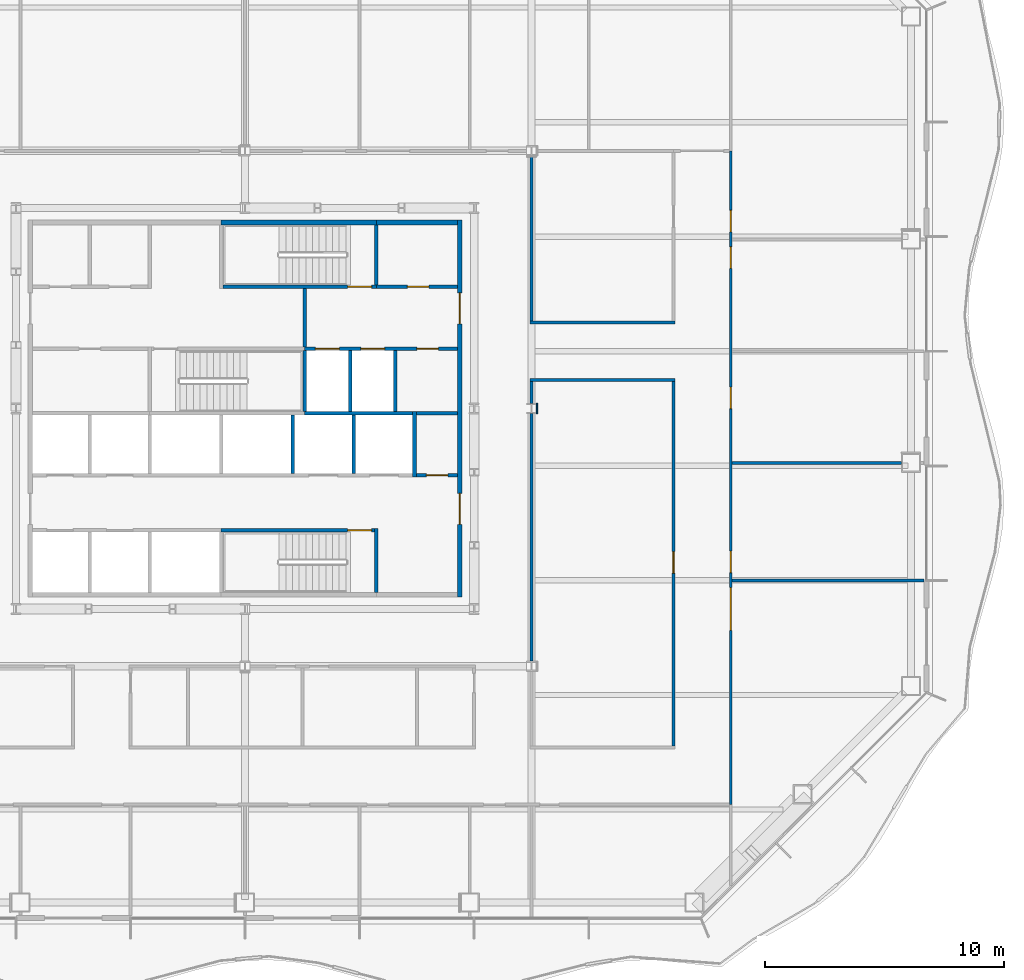
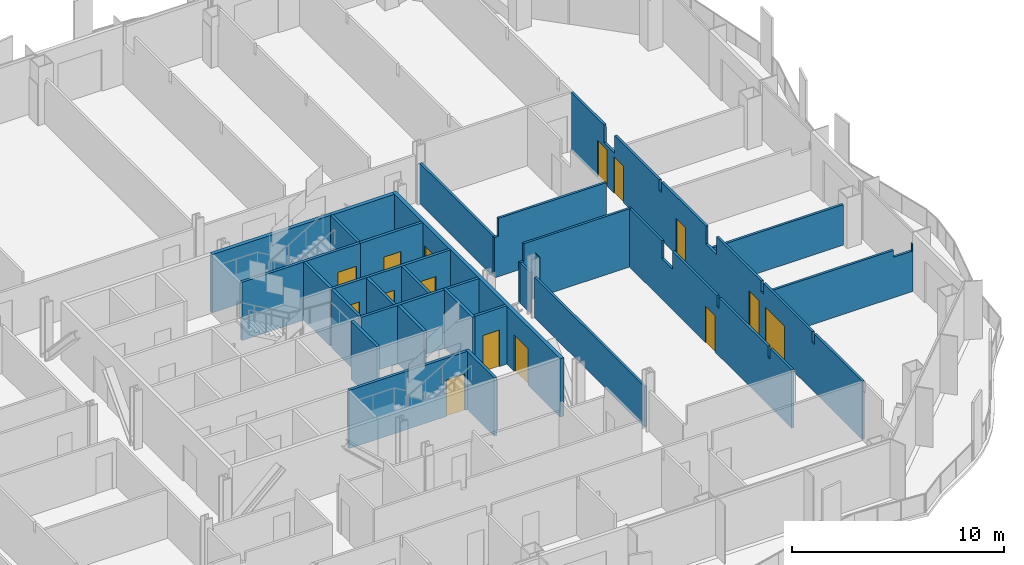
# One storey, part 11 of 23: 29 walls, 15 doors, 15 openings.
"""IFC4 building model written with IfcOpenShell, lengths in metres."""

from ifc_helpers import new_model, si_unit, direction, frame, frame_2d, origin, place, context, subcontext, project, spatial, polyline, rectangle, outline, extrude, material, layer, layer_set, type_object, element, fill, save


model = new_model("IFC4")

# Units and contexts
model_context = context("Model", 3, precision=1e-05, world=origin(), true_north=direction((0.0, 1.0)))
body_context = subcontext(model_context, "Body", "Model", "MODEL_VIEW")
ifc_project = project(units=[si_unit("LENGTHUNIT", "METRE"), si_unit("AREAUNIT", "SQUARE_METRE"), si_unit("VOLUMEUNIT", "CUBIC_METRE"), si_unit("PLANEANGLEUNIT", "RADIAN"), si_unit("MASSUNIT", "GRAM", prefix="KILO")], contexts=[model_context])

# Site, building, storey
site_placement = place(None, origin())
site = spatial("IfcSite", under=ifc_project, at=site_placement, CompositionType="ELEMENT")
building_placement = place(site_placement, origin())
building = spatial("IfcBuilding", under=site, at=building_placement, Name="Cairn Pilgrim Tower", CompositionType="ELEMENT")
storey_placement = place(building_placement, frame((0.0, 0.0, 115.800048828125)))
storey = spatial("IfcBuildingStorey", under=building, at=storey_placement, Name="L28", CompositionType="ELEMENT", Elevation=115.800048828125)

# Wall
ifc_material_1 = material(Name="Concrete C32/40", Category="concrete")
ifc_layer_1 = layer(ifc_material_1, 0.199951171875)
ifc_layer_set_1 = layer_set([ifc_layer_1], Name="CORE OUTER WALL 200 EI 120")
wall_type_1 = type_object("IfcWallType", Name="CORE OUTER WALL 200 EI 120", PredefinedType="SOLIDWALL", material=ifc_layer_set_1)
wall_1_placement = place(storey_placement, frame((12.699951171875, 10.199951171875, 0.0), z_axis=(0.0, 0.0, 1.0), x_axis=(1.0, 0.0, 0.0)))
element("IfcWall", 1, at=wall_1_placement, inside=storey, type_object=wall_type_1, Name="CW:L28:H11-3", PredefinedType="SOLIDWALL", context=body_context, shape_type="SweptSolid", body=[
    extrude(rectangle(XDim=3.400146484375, YDim=0.199951171875, at=frame_2d((1.7001953125, 0.0))), origin(), (0.0, 0.0, 1.0), 3.349853515625),
])

# Wall, openings, doors
wall_2_placement = place(storey_placement, frame((16.199951171875, -5.5, 0.0), z_axis=(0.0, 0.0, 1.0), x_axis=(0.0, 1.0, 0.0)))
wall_2 = element("IfcWall", 2, at=wall_2_placement, inside=storey, type_object=wall_type_1, Name="CW:L28:V32", PredefinedType="SOLIDWALL", context=body_context, shape_type="SweptSolid", body=[
    extrude(rectangle(XDim=15.800048828125, YDim=0.199951171875, at=frame_2d((7.89990234375, 0.0))), origin(), (0.0, 0.0, 1.0), 3.349853515625),
])
opening_1_placement = place(wall_2_placement, frame((3.050048828125, 0.0, 0.0)))
opening_1 = element("IfcOpeningElement", 3, at=opening_1_placement, cuts=wall_2, Name="Opening CD-E1", PredefinedType="OPENING", context=body_context, shape_type="SweptSolid", body=[
    extrude(rectangle(XDim=1.300048828125, YDim=2.10009765625, at=frame_2d((0.64990234375, 1.050048828125))), frame((0.0, 0.10986328125, 0.0), z_axis=(0.0, -1.0, 0.0), x_axis=(1.0, 0.0, 0.0)), (0.0, 0.0, 1.0), 0.219970703125),
])
opening_2_placement = place(wall_2_placement, frame((11.449951171875, 0.0, 0.0)))
opening_2 = element("IfcOpeningElement", 4, at=opening_2_placement, cuts=wall_2, Name="Opening CD-E2", PredefinedType="OPENING", context=body_context, shape_type="SweptSolid", body=[
    extrude(rectangle(XDim=1.300048828125, YDim=2.10009765625, at=frame_2d((0.64990234375, 1.050048828125))), frame((0.0, 0.10986328125, 0.0), z_axis=(0.0, -1.0, 0.0), x_axis=(1.0, 0.0, 0.0)), (0.0, 0.0, 1.0), 0.219970703125),
])
ifc_material_2 = material(Name="Painted steel", Category="steel")
door_type_1 = type_object("IfcDoorType", Name="CORE LOBBY DOOR 1300x2100", OperationType="DOUBLE_DOOR_SINGLE_SWING", PredefinedType="DOOR", material=ifc_material_2)
door_1_placement = place(opening_1_placement, origin())
door_1 = element("IfcDoor", 5, at=door_1_placement, inside=storey, type_object=door_type_1, Name="CD-E1", OperationType="DOUBLE_DOOR_SINGLE_SWING", OverallHeight=2.10009765625, OverallWidth=1.300048828125, PredefinedType="DOOR", context=body_context, shape_type="SweptSolid", body=[
    extrude(rectangle(XDim=1.300048828125, YDim=2.10009765625, at=frame_2d((0.64990234375, 1.050048828125))), frame((0.0, 0.02490234375, 0.0), z_axis=(0.0, -1.0, 0.0), x_axis=(1.0, 0.0, 0.0)), (0.0, 0.0, 1.0), 0.050048828125),
])
fill(opening_1, door_1)
door_2_placement = place(opening_2_placement, origin())
door_2 = element("IfcDoor", 6, at=door_2_placement, inside=storey, type_object=door_type_1, Name="CD-E2", OperationType="DOUBLE_DOOR_SINGLE_SWING", OverallHeight=2.10009765625, OverallWidth=1.300048828125, PredefinedType="DOOR", context=body_context, shape_type="SweptSolid", body=[
    extrude(rectangle(XDim=1.300048828125, YDim=2.10009765625, at=frame_2d((0.64990234375, 1.050048828125))), frame((0.0, 0.02490234375, 0.0), z_axis=(0.0, -1.0, 0.0), x_axis=(1.0, 0.0, 0.0)), (0.0, 0.0, 1.0), 0.050048828125),
])
fill(opening_2, door_2)

# Wall, opening, door
ifc_layer_2 = layer(ifc_material_1, 0.14990234375)
ifc_layer_set_2 = layer_set([ifc_layer_2], Name="CORE PARTITION 150 EI 60")
wall_type_2 = type_object("IfcWallType", Name="CORE PARTITION 150 EI 60", PredefinedType="PARTITIONING", material=ifc_layer_set_2)
wall_3_placement = place(storey_placement, frame((14.375, -0.39990234375, 0.0), z_axis=(0.0, 0.0, 1.0), x_axis=(1.0, 0.0, 0.0)))
wall_3 = element("IfcWall", 7, at=wall_3_placement, inside=storey, type_object=wall_type_2, Name="CW:L28:H04", PredefinedType="PARTITIONING", context=body_context, shape_type="SweptSolid", body=[
    extrude(rectangle(XDim=1.72509765625, YDim=0.14990234375, at=frame_2d((0.862548828125, 0.0))), origin(), (0.0, 0.0, 1.0), 3.349853515625),
])
opening_3_placement = place(wall_3_placement, frame((0.425048828125, 0.0, 0.0)))
opening_3 = element("IfcOpeningElement", 8, at=opening_3_placement, cuts=wall_3, Name="Opening RD-R2E", PredefinedType="OPENING", context=body_context, shape_type="SweptSolid", body=[
    extrude(rectangle(XDim=0.89990234375, YDim=2.10009765625, at=frame_2d((0.449951171875, 1.050048828125))), frame((0.0, 0.0849609375, 0.0), z_axis=(0.0, -1.0, 0.0), x_axis=(1.0, 0.0, 0.0)), (0.0, 0.0, 1.0), 0.169921875),
])
door_type_2 = type_object("IfcDoorType", Name="SERVICE ROOM DOOR 900x2100", OperationType="SINGLE_SWING_LEFT", PredefinedType="DOOR", material=ifc_material_2)
door_3_placement = place(opening_3_placement, origin())
door_3 = element("IfcDoor", 9, at=door_3_placement, inside=storey, type_object=door_type_2, Name="RD-R2E", OperationType="SINGLE_SWING_RIGHT", OverallHeight=2.10009765625, OverallWidth=0.89990234375, PredefinedType="DOOR", context=body_context, shape_type="SweptSolid", body=[
    extrude(rectangle(XDim=0.89990234375, YDim=2.10009765625, at=frame_2d((0.449951171875, 1.050048828125))), frame((0.0, 0.02490234375, 0.0), z_axis=(0.0, -1.0, 0.0), x_axis=(1.0, 0.0, 0.0)), (0.0, 0.0, 1.0), 0.050048828125),
])
fill(opening_3, door_3)

# Walls
wall_4_placement = place(storey_placement, frame((14.375, 2.199951171875, 0.0), z_axis=(0.0, 0.0, 1.0), x_axis=(1.0, 0.0, 0.0)))
element("IfcWall", 10, at=wall_4_placement, inside=storey, type_object=wall_type_2, Name="CW:L28:H06", PredefinedType="PARTITIONING", context=body_context, shape_type="SweptSolid", body=[
    extrude(rectangle(XDim=1.72509765625, YDim=0.14990234375, at=frame_2d((0.862548828125, 0.0))), origin(), (0.0, 0.0, 1.0), 3.349853515625),
])
ifc_layer_3 = layer(ifc_material_1, 0.14990234375)
ifc_layer_set_3 = layer_set([ifc_layer_3], Name="CORE SHAFT WALL 150 EI 120")
wall_type_3 = type_object("IfcWallType", Name="CORE SHAFT WALL 150 EI 120", PredefinedType="SOLIDWALL", material=ifc_layer_set_3)
wall_5_placement = place(storey_placement, frame((9.699951171875, 2.199951171875, 0.0), z_axis=(0.0, 0.0, 1.0), x_axis=(1.0, 0.0, 0.0)))
element("IfcWall", 11, at=wall_5_placement, inside=storey, type_object=wall_type_3, Name="CW:L28:H05-3", PredefinedType="SOLIDWALL", context=body_context, shape_type="SweptSolid", body=[
    extrude(rectangle(XDim=4.525146484375, YDim=0.14990234375, at=frame_2d((2.2626953125, 0.0))), origin(), (0.0, 0.0, 1.0), 3.349853515625),
])

# Wall, openings, doors
wall_6_placement = place(storey_placement, frame((9.699951171875, 4.89990234375, 0.0), z_axis=(0.0, 0.0, 1.0), x_axis=(1.0, 0.0, 0.0)))
wall_6 = element("IfcWall", 12, at=wall_6_placement, inside=storey, type_object=wall_type_3, Name="CW:L28:H08-2", PredefinedType="SOLIDWALL", context=body_context, shape_type="SweptSolid", body=[
    extrude(rectangle(XDim=6.400146484375, YDim=0.14990234375, at=frame_2d((3.2001953125, 0.0))), origin(), (0.0, 0.0, 1.0), 3.349853515625),
])
opening_4_placement = place(wall_6_placement, frame((0.449951171875, 0.0, 0.0)))
opening_4 = element("IfcOpeningElement", 13, at=opening_4_placement, cuts=wall_6, Name="Opening LD-FF1", PredefinedType="OPENING", context=body_context, shape_type="SweptSolid", body=[
    extrude(rectangle(XDim=1.0, YDim=2.10009765625, at=frame_2d((0.5, 1.050048828125))), frame((0.0, 0.0849609375, 0.0), z_axis=(0.0, -1.0, 0.0), x_axis=(1.0, 0.0, 0.0)), (0.0, 0.0, 1.0), 0.169921875),
])
opening_5_placement = place(wall_6_placement, frame((2.35009765625, 0.0, 0.0)))
opening_5 = element("IfcOpeningElement", 14, at=opening_5_placement, cuts=wall_6, Name="Opening LD-FF2", PredefinedType="OPENING", context=body_context, shape_type="SweptSolid", body=[
    extrude(rectangle(XDim=1.0, YDim=2.10009765625, at=frame_2d((0.5, 1.050048828125))), frame((0.0, 0.0849609375, 0.0), z_axis=(0.0, -1.0, 0.0), x_axis=(1.0, 0.0, 0.0)), (0.0, 0.0, 1.0), 0.169921875),
])
opening_6_placement = place(wall_6_placement, frame((4.699951171875, 0.0, 0.0)))
opening_6 = element("IfcOpeningElement", 15, at=opening_6_placement, cuts=wall_6, Name="Opening RD-R3E", PredefinedType="OPENING", context=body_context, shape_type="SweptSolid", body=[
    extrude(rectangle(XDim=0.89990234375, YDim=2.10009765625, at=frame_2d((0.449951171875, 1.050048828125))), frame((0.0, 0.0849609375, 0.0), z_axis=(0.0, -1.0, 0.0), x_axis=(1.0, 0.0, 0.0)), (0.0, 0.0, 1.0), 0.169921875),
])
ifc_material_3 = material(Name="Stainless steel", Category="steel")
door_type_3 = type_object("IfcDoorType", Name="LIFT LANDING DOOR FIRE 1000x2100", OperationType="DOUBLE_DOOR_SLIDING", PredefinedType="DOOR", material=ifc_material_3)
door_4_placement = place(opening_4_placement, origin())
door_4 = element("IfcDoor", 16, at=door_4_placement, inside=storey, type_object=door_type_3, Name="LANDING DOOR FF1", OperationType="DOUBLE_DOOR_SLIDING", OverallHeight=2.10009765625, OverallWidth=1.0, PredefinedType="DOOR", context=body_context, shape_type="SweptSolid", body=[
    extrude(rectangle(XDim=1.0, YDim=2.10009765625, at=frame_2d((0.5, 1.050048828125))), frame((0.0, 0.02490234375, 0.0), z_axis=(0.0, -1.0, 0.0), x_axis=(1.0, 0.0, 0.0)), (0.0, 0.0, 1.0), 0.050048828125),
])
fill(opening_4, door_4)
door_5_placement = place(opening_5_placement, origin())
door_5 = element("IfcDoor", 17, at=door_5_placement, inside=storey, type_object=door_type_3, Name="LANDING DOOR FF2", OperationType="DOUBLE_DOOR_SLIDING", OverallHeight=2.10009765625, OverallWidth=1.0, PredefinedType="DOOR", context=body_context, shape_type="SweptSolid", body=[
    extrude(rectangle(XDim=1.0, YDim=2.10009765625, at=frame_2d((0.5, 1.050048828125))), frame((0.0, 0.02490234375, 0.0), z_axis=(0.0, -1.0, 0.0), x_axis=(1.0, 0.0, 0.0)), (0.0, 0.0, 1.0), 0.050048828125),
])
fill(opening_5, door_5)
door_6_placement = place(opening_6_placement, origin())
door_6 = element("IfcDoor", 18, at=door_6_placement, inside=storey, type_object=door_type_2, Name="RD-R3E", OperationType="SINGLE_SWING_LEFT", OverallHeight=2.10009765625, OverallWidth=0.89990234375, PredefinedType="DOOR", context=body_context, shape_type="SweptSolid", body=[
    extrude(rectangle(XDim=0.89990234375, YDim=2.10009765625, at=frame_2d((0.449951171875, 1.050048828125))), frame((0.0, 0.02490234375, 0.0), z_axis=(0.0, -1.0, 0.0), x_axis=(1.0, 0.0, 0.0)), (0.0, 0.0, 1.0), 0.050048828125),
])
fill(opening_6, door_6)

# Wall, opening, door
wall_7_placement = place(storey_placement, frame((12.699951171875, 7.5, 0.0), z_axis=(0.0, 0.0, 1.0), x_axis=(1.0, 0.0, 0.0)))
wall_7 = element("IfcWall", 19, at=wall_7_placement, inside=storey, type_object=wall_type_3, Name="CW:L28:H10-2", PredefinedType="SOLIDWALL", context=body_context, shape_type="SweptSolid", body=[
    extrude(rectangle(XDim=3.400146484375, YDim=0.14990234375, at=frame_2d((1.7001953125, 0.0))), origin(), (0.0, 0.0, 1.0), 3.349853515625),
])
opening_7_placement = place(wall_7_placement, frame((1.300048828125, 0.0, 0.0)))
opening_7 = element("IfcOpeningElement", 20, at=opening_7_placement, cuts=wall_7, Name="Opening RD-R4E", PredefinedType="OPENING", context=body_context, shape_type="SweptSolid", body=[
    extrude(rectangle(XDim=0.89990234375, YDim=2.10009765625, at=frame_2d((0.449951171875, 1.050048828125))), frame((0.0, 0.0849609375, 0.0), z_axis=(0.0, -1.0, 0.0), x_axis=(1.0, 0.0, 0.0)), (0.0, 0.0, 1.0), 0.169921875),
])
door_7_placement = place(opening_7_placement, origin())
door_7 = element("IfcDoor", 21, at=door_7_placement, inside=storey, type_object=door_type_2, Name="RD-R4E", OperationType="SINGLE_SWING_RIGHT", OverallHeight=2.10009765625, OverallWidth=0.89990234375, PredefinedType="DOOR", context=body_context, shape_type="SweptSolid", body=[
    extrude(rectangle(XDim=0.89990234375, YDim=2.10009765625, at=frame_2d((0.449951171875, 1.050048828125))), frame((0.0, 0.02490234375, 0.0), z_axis=(0.0, -1.0, 0.0), x_axis=(1.0, 0.0, 0.0)), (0.0, 0.0, 1.0), 0.050048828125),
])
fill(opening_7, door_7)

# Walls
for number, where, z_axis, x_axis, name in (
    (22, (9.199951171875, -0.324951171875, 0.0), (0.0, 0.0, 1.0), (0.0, 1.0, 0.0), "CW:L28:V23"),
    (23, (9.699951171875, 4.97509765625, 0.0), (0.0, 0.0, 1.0), (0.0, 1.0, 0.0), "CW:L28:V25"),
):
    element("IfcWall", number, at=place(storey_placement, frame(where, z_axis=z_axis, x_axis=x_axis)), inside=storey, type_object=wall_type_3, Name=name, PredefinedType="SOLIDWALL", context=body_context, shape_type="SweptSolid", body=[
        extrude(rectangle(XDim=2.449951171875, YDim=0.14990234375, at=frame_2d((1.22509765625, 0.0))), origin(), (0.0, 0.0, 1.0), 3.349853515625),
    ])
wall_8_placement = place(storey_placement, frame((11.60009765625, 2.27490234375, 0.0), z_axis=(0.0, 0.0, 1.0), x_axis=(0.0, 1.0, 0.0)))
element("IfcWall", 24, at=wall_8_placement, inside=storey, type_object=wall_type_3, Name="CW:L28:V26", PredefinedType="SOLIDWALL", context=body_context, shape_type="SweptSolid", body=[
    extrude(rectangle(XDim=2.550048828125, YDim=0.14990234375, at=frame_2d((1.27490234375, 0.0))), origin(), (0.0, 0.0, 1.0), 3.349853515625),
])
wall_9_placement = place(storey_placement, frame((11.75, -0.324951171875, 0.0), z_axis=(0.0, 0.0, 1.0), x_axis=(0.0, 1.0, 0.0)))
element("IfcWall", 25, at=wall_9_placement, inside=storey, type_object=wall_type_3, Name="CW:L28:V27", PredefinedType="SOLIDWALL", context=body_context, shape_type="SweptSolid", body=[
    extrude(rectangle(XDim=2.449951171875, YDim=0.14990234375, at=frame_2d((1.22509765625, 0.0))), origin(), (0.0, 0.0, 1.0), 3.349853515625),
])
wall_10_placement = place(storey_placement, frame((13.5, 2.27490234375, 0.0), z_axis=(0.0, 0.0, 1.0), x_axis=(0.0, 1.0, 0.0)))
element("IfcWall", 26, at=wall_10_placement, inside=storey, type_object=wall_type_3, Name="CW:L28:V30", PredefinedType="SOLIDWALL", context=body_context, shape_type="SweptSolid", body=[
    extrude(rectangle(XDim=2.550048828125, YDim=0.14990234375, at=frame_2d((1.27490234375, 0.0))), origin(), (0.0, 0.0, 1.0), 3.349853515625),
])
wall_11_placement = place(storey_placement, frame((14.300048828125, -0.47509765625, 0.0), z_axis=(0.0, 0.0, 1.0), x_axis=(0.0, 1.0, 0.0)))
element("IfcWall", 27, at=wall_11_placement, inside=storey, type_object=wall_type_3, Name="CW:L28:V31", PredefinedType="SOLIDWALL", context=body_context, shape_type="SweptSolid", body=[
    extrude(rectangle(XDim=2.75, YDim=0.14990234375, at=frame_2d((1.375, 0.0))), origin(), (0.0, 0.0, 1.0), 3.349853515625),
])

# Wall, openings, doors
ifc_material_4 = material(Name="Gypsum partition")
ifc_layer_4 = layer(ifc_material_4, 0.125)
ifc_layer_set_4 = layer_set([ifc_layer_4], Name="PARTITION 125 DRYWALL EI 60")
wall_type_4 = type_object("IfcWallType", Name="PARTITION 125 DRYWALL EI 60", PredefinedType="PARTITIONING", material=ifc_layer_set_4)
wall_12_placement = place(storey_placement, frame((27.550048828125, -14.199951171875, 0.0), z_axis=(0.0, 0.0, 1.0), x_axis=(0.0, 1.0, 0.0)))
wall_12 = element("IfcWall", 28, at=wall_12_placement, inside=storey, type_object=wall_type_4, Name="PARTITION W016", PredefinedType="PARTITIONING", context=body_context, shape_type="SweptSolid", body=[
    extrude(outline(polyline([(0.0, 0.0), (27.39990234375, 0.0), (27.39990234375, 3.349853515625), (24.300048828125, 3.349853515625), (24.298095703125, 2.329833984375), (23.300048828125, 2.329833984375), (23.298095703125, 3.349853515625), (19.110107421875, 3.349853515625), (19.10791015625, 2.72998046875), (18.889892578125, 2.72998046875), (18.887939453125, 3.349853515625), (14.699951171875, 3.349853515625), (14.697998046875, 2.329833984375), (13.699951171875, 2.329833984375), (13.697998046875, 3.349853515625), (9.510009765625, 3.349853515625), (9.508056640625, 2.72998046875), (9.2900390625, 2.72998046875), (9.2880859375, 3.349853515625), (4.7099609375, 3.349853515625), (4.7080078125, 2.72998046875), (4.489990234375, 2.72998046875), (4.488037109375, 3.349853515625), (0.0, 3.349853515625), (0.0, 0.0)])), frame((0.0, 0.0625, 0.0), z_axis=(0.0, -1.0, 0.0), x_axis=(1.0, 0.0, 0.0)), (0.0, 0.0, 1.0), 0.125),
])
opening_8_placement = place(wall_12_placement, frame((7.300048828125, 0.0, 0.0)))
opening_8 = element("IfcOpeningElement", 29, at=opening_8_placement, cuts=wall_12, Name="Opening 2824", PredefinedType="OPENING", context=body_context, shape_type="SweptSolid", body=[
    extrude(rectangle(XDim=1.800048828125, YDim=2.10009765625, at=frame_2d((0.89990234375, 1.050048828125))), frame((0.0, 0.072509765625, 0.0), z_axis=(0.0, -1.0, 0.0), x_axis=(1.0, 0.0, 0.0)), (0.0, 0.0, 1.0), 0.14501953125),
])
opening_9_placement = place(wall_12_placement, frame((9.72412109375, 0.0, 0.0)))
opening_9 = element("IfcOpeningElement", 30, at=opening_9_placement, cuts=wall_12, Name="Opening 2825", PredefinedType="OPENING", context=body_context, shape_type="SweptSolid", body=[
    extrude(rectangle(XDim=0.89990234375, YDim=2.10009765625, at=frame_2d((0.449951171875, 1.050048828125))), frame((0.0, 0.072509765625, 0.0), z_axis=(0.0, -1.0, 0.0), x_axis=(1.0, 0.0, 0.0)), (0.0, 0.0, 1.0), 0.14501953125),
])
opening_10_placement = place(wall_12_placement, frame((16.60009765625, 0.0, 0.0)))
opening_10 = element("IfcOpeningElement", 31, at=opening_10_placement, cuts=wall_12, Name="Opening 2826", PredefinedType="OPENING", context=body_context, shape_type="SweptSolid", body=[
    extrude(rectangle(XDim=0.89990234375, YDim=2.10009765625, at=frame_2d((0.449951171875, 1.050048828125))), frame((0.0, 0.072509765625, 0.0), z_axis=(0.0, -1.0, 0.0), x_axis=(1.0, 0.0, 0.0)), (0.0, 0.0, 1.0), 0.14501953125),
])
opening_11_placement = place(wall_12_placement, frame((22.47607421875, 0.0, 0.0)))
opening_11 = element("IfcOpeningElement", 32, at=opening_11_placement, cuts=wall_12, Name="Opening 2827", PredefinedType="OPENING", context=body_context, shape_type="SweptSolid", body=[
    extrude(rectangle(XDim=0.89990234375, YDim=2.10009765625, at=frame_2d((0.449951171875, 1.050048828125))), frame((0.0, 0.072509765625, 0.0), z_axis=(0.0, -1.0, 0.0), x_axis=(1.0, 0.0, 0.0)), (0.0, 0.0, 1.0), 0.14501953125),
])
opening_12_placement = place(wall_12_placement, frame((24.0, 0.0, 0.0)))
opening_12 = element("IfcOpeningElement", 33, at=opening_12_placement, cuts=wall_12, Name="Opening 2828", PredefinedType="OPENING", context=body_context, shape_type="SweptSolid", body=[
    extrude(rectangle(XDim=0.89990234375, YDim=2.10009765625, at=frame_2d((0.449951171875, 1.050048828125))), frame((0.0, 0.072509765625, 0.0), z_axis=(0.0, -1.0, 0.0), x_axis=(1.0, 0.0, 0.0)), (0.0, 0.0, 1.0), 0.14501953125),
])
ifc_material_5 = material(Name="Timber door leaf", Category="wood")
door_type_4 = type_object("IfcDoorType", Name="DOOR PAIR 1800x2100 FD30S", OperationType="NOTDEFINED", PredefinedType="DOOR", material=ifc_material_5)
door_8_placement = place(opening_8_placement, frame((1.800048828125, 0.0, 0.0), z_axis=(0.0, 0.0, 1.0), x_axis=(-1.0, 0.0, 0.0)))
door_8 = element("IfcDoor", 34, at=door_8_placement, inside=storey, type_object=door_type_4, Name="DOOR 2824", OperationType="DOUBLE_DOOR_SINGLE_SWING", OverallHeight=2.10009765625, OverallWidth=1.800048828125, PredefinedType="DOOR", context=body_context, shape_type="SweptSolid", body=[
    extrude(rectangle(XDim=1.800048828125, YDim=2.10009765625, at=frame_2d((0.89990234375, 1.050048828125))), frame((0.0, 0.02490234375, 0.0), z_axis=(0.0, -1.0, 0.0), x_axis=(1.0, 0.0, 0.0)), (0.0, 0.0, 1.0), 0.050048828125),
])
fill(opening_8, door_8)
ifc_material_6 = material(Name="Steel-faced fire door leaf", Category="steel")
door_type_5 = type_object("IfcDoorType", Name="FIRE DOOR 900x2100 FD30S", OperationType="NOTDEFINED", PredefinedType="DOOR", material=ifc_material_6)
door_9_placement = place(opening_9_placement, frame((0.89990234375, 0.0, 0.0), z_axis=(0.0, 0.0, 1.0), x_axis=(-1.0, 0.0, 0.0)))
door_9 = element("IfcDoor", 35, at=door_9_placement, inside=storey, type_object=door_type_5, Name="DOOR 2825", OperationType="SINGLE_SWING_RIGHT", OverallHeight=2.10009765625, OverallWidth=0.89990234375, PredefinedType="DOOR", context=body_context, shape_type="SweptSolid", body=[
    extrude(rectangle(XDim=0.89990234375, YDim=2.10009765625, at=frame_2d((0.449951171875, 1.050048828125))), frame((0.0, 0.02490234375, 0.0), z_axis=(0.0, -1.0, 0.0), x_axis=(1.0, 0.0, 0.0)), (0.0, 0.0, 1.0), 0.050048828125),
])
fill(opening_9, door_9)
door_10_placement = place(opening_10_placement, frame((0.89990234375, 0.0, 0.0), z_axis=(0.0, 0.0, 1.0), x_axis=(-1.0, 0.0, 0.0)))
door_10 = element("IfcDoor", 36, at=door_10_placement, inside=storey, type_object=door_type_5, Name="DOOR 2826", OperationType="SINGLE_SWING_LEFT", OverallHeight=2.10009765625, OverallWidth=0.89990234375, PredefinedType="DOOR", context=body_context, shape_type="SweptSolid", body=[
    extrude(rectangle(XDim=0.89990234375, YDim=2.10009765625, at=frame_2d((0.449951171875, 1.050048828125))), frame((0.0, 0.02490234375, 0.0), z_axis=(0.0, -1.0, 0.0), x_axis=(1.0, 0.0, 0.0)), (0.0, 0.0, 1.0), 0.050048828125),
])
fill(opening_10, door_10)
door_11_placement = place(opening_11_placement, frame((0.89990234375, 0.0, 0.0), z_axis=(0.0, 0.0, 1.0), x_axis=(-1.0, 0.0, 0.0)))
door_11 = element("IfcDoor", 37, at=door_11_placement, inside=storey, type_object=door_type_5, Name="DOOR 2827", OperationType="SINGLE_SWING_RIGHT", OverallHeight=2.10009765625, OverallWidth=0.89990234375, PredefinedType="DOOR", context=body_context, shape_type="SweptSolid", body=[
    extrude(rectangle(XDim=0.89990234375, YDim=2.10009765625, at=frame_2d((0.449951171875, 1.050048828125))), frame((0.0, 0.02490234375, 0.0), z_axis=(0.0, -1.0, 0.0), x_axis=(1.0, 0.0, 0.0)), (0.0, 0.0, 1.0), 0.050048828125),
])
fill(opening_11, door_11)
door_12_placement = place(opening_12_placement, frame((0.89990234375, 0.0, 0.0), z_axis=(0.0, 0.0, 1.0), x_axis=(-1.0, 0.0, 0.0)))
door_12 = element("IfcDoor", 38, at=door_12_placement, inside=storey, type_object=door_type_5, Name="DOOR 2828", OperationType="SINGLE_SWING_LEFT", OverallHeight=2.10009765625, OverallWidth=0.89990234375, PredefinedType="DOOR", context=body_context, shape_type="SweptSolid", body=[
    extrude(rectangle(XDim=0.89990234375, YDim=2.10009765625, at=frame_2d((0.449951171875, 1.050048828125))), frame((0.0, 0.02490234375, 0.0), z_axis=(0.0, -1.0, 0.0), x_axis=(1.0, 0.0, 0.0)), (0.0, 0.0, 1.0), 0.050048828125),
])
fill(opening_12, door_12)

# Wall, opening, door
wall_13_placement = place(storey_placement, frame((25.14990234375, -11.737548828125, 0.0), z_axis=(0.0, 0.0, 1.0), x_axis=(0.0, 1.0, 0.0)))
wall_13 = element("IfcWall", 39, at=wall_13_placement, inside=storey, type_object=wall_type_4, Name="PARTITION W030", PredefinedType="PARTITIONING", context=body_context, shape_type="SweptSolid", body=[
    extrude(outline(polyline([(0.0, 0.0), (15.275146484375, 0.0), (15.27490234375, 3.349853515625), (12.237548828125, 3.349853515625), (12.235595703125, 2.329833984375), (11.237548828125, 2.329833984375), (11.235595703125, 3.349853515625), (7.047607421875, 3.349853515625), (7.04541015625, 2.72998046875), (6.827392578125, 2.72998046875), (6.825439453125, 3.349853515625), (2.24755859375, 3.349853515625), (2.24560546875, 2.72998046875), (2.027587890625, 2.72998046875), (2.025390625, 3.349853515625), (0.0, 3.349853515625), (0.0, 0.0)])), frame((0.0, 0.0625, 0.0), z_axis=(0.0, -1.0, 0.0), x_axis=(1.0, 0.0, 0.0)), (0.0, 0.0, 1.0), 0.125),
])
opening_13_placement = place(wall_13_placement, frame((7.237548828125, 0.0, 0.0)))
opening_13 = element("IfcOpeningElement", 40, at=opening_13_placement, cuts=wall_13, Name="Opening 2830", PredefinedType="OPENING", context=body_context, shape_type="SweptSolid", body=[
    extrude(rectangle(XDim=0.89990234375, YDim=2.10009765625, at=frame_2d((0.449951171875, 1.050048828125))), frame((0.0, 0.072509765625, 0.0), z_axis=(0.0, -1.0, 0.0), x_axis=(1.0, 0.0, 0.0)), (0.0, 0.0, 1.0), 0.14501953125),
])
door_13_placement = place(opening_13_placement, origin())
door_13 = element("IfcDoor", 41, at=door_13_placement, inside=storey, type_object=door_type_5, Name="DOOR 2830", OperationType="SINGLE_SWING_LEFT", OverallHeight=2.10009765625, OverallWidth=0.89990234375, PredefinedType="DOOR", context=body_context, shape_type="SweptSolid", body=[
    extrude(rectangle(XDim=0.89990234375, YDim=2.10009765625, at=frame_2d((0.449951171875, 1.050048828125))), frame((0.0, 0.02490234375, 0.0), z_axis=(0.0, -1.0, 0.0), x_axis=(1.0, 0.0, 0.0)), (0.0, 0.0, 1.0), 0.050048828125),
])
fill(opening_13, door_13)

# Walls
wall_14_placement = place(storey_placement, frame((19.199951171875, -8.1875, 0.0), z_axis=(0.0, 0.0, 1.0), x_axis=(0.0, 1.0, 0.0)))
element("IfcWall", 42, at=wall_14_placement, inside=storey, type_object=wall_type_4, Name="PARTITION W038", PredefinedType="PARTITIONING", context=body_context, shape_type="SweptSolid", body=[
    extrude(rectangle(XDim=10.375, YDim=0.125, at=frame_2d((5.1875, 0.0))), origin(), (0.0, 0.0, 1.0), 2.322021484375),
])
wall_15_placement = place(storey_placement, frame((27.612548828125, -4.800048828125, 0.0), z_axis=(0.0, 0.0, 1.0), x_axis=(1.0, 0.0, 0.0)))
element("IfcWall", 43, at=wall_15_placement, inside=storey, type_object=wall_type_4, Name="PARTITION W041", PredefinedType="PARTITIONING", context=body_context, shape_type="SweptSolid", body=[
    extrude(outline(polyline([(0.0, 0.0), (8.037353515625, 0.0), (8.03759765625, 2.72998046875), (7.987548828125, 2.72998046875), (7.985595703125, 2.329833984375), (6.987548828125, 2.329833984375), (6.985595703125, 2.72998046875), (0.0, 2.72998046875), (0.0, 0.0)])), frame((0.0, 0.0625, 0.0), z_axis=(0.0, -1.0, 0.0), x_axis=(1.0, 0.0, 0.0)), (0.0, 0.0, 1.0), 0.125),
])
wall_16_placement = place(storey_placement, frame((27.612548828125, 0.1240234375, 0.0), z_axis=(0.0, 0.0, 1.0), x_axis=(1.0, 0.0, 0.0)))
element("IfcWall", 44, at=wall_16_placement, inside=storey, type_object=wall_type_4, Name="PARTITION W045", PredefinedType="PARTITIONING", context=body_context, shape_type="SweptSolid", body=[
    extrude(rectangle(XDim=7.08740234375, YDim=0.125, at=frame_2d((3.543701171875, 0.0))), origin(), (0.0, 0.0, 1.0), 2.329833984375),
])
wall_17_placement = place(storey_placement, frame((19.199951171875, 2.612548828125, 0.0), z_axis=(0.0, 0.0, 1.0), x_axis=(0.0, 1.0, 0.0)))
element("IfcWall", 45, at=wall_17_placement, inside=storey, type_object=wall_type_4, Name="PARTITION W051", PredefinedType="PARTITIONING", context=body_context, shape_type="SweptSolid", body=[
    extrude(rectangle(XDim=0.925048828125, YDim=0.125, at=frame_2d((0.46240234375, 0.0))), origin(), (0.0, 0.0, 1.0), 2.322021484375),
])
for number, where, z_axis, x_axis, name in (
    (46, (19.137451171875, 3.60009765625, 0.0), (0.0, 0.0, 1.0), (1.0, 0.0, 0.0), "PARTITION W052"),
    (47, (19.137451171875, 6.0, 0.0), (0.0, 0.0, 1.0), (1.0, 0.0, 0.0), "PARTITION W056"),
):
    element("IfcWall", number, at=place(storey_placement, frame(where, z_axis=z_axis, x_axis=x_axis)), inside=storey, type_object=wall_type_4, Name=name, PredefinedType="PARTITIONING", context=body_context, shape_type="SweptSolid", body=[
        extrude(outline(polyline([(0.0, 0.0), (6.074951171875, 0.0), (6.074951171875, 3.349853515625), (0.21337890625, 3.349853515625), (0.21142578125, 2.322021484375), (0.0, 2.322021484375), (0.0, 0.0)])), frame((0.0, 0.0625, 0.0), z_axis=(0.0, -1.0, 0.0), x_axis=(1.0, 0.0, 0.0)), (0.0, 0.0, 1.0), 0.125),
    ])
wall_18_placement = place(storey_placement, frame((19.199951171875, 6.0625, 0.0), z_axis=(0.0, 0.0, 1.0), x_axis=(0.0, 1.0, 0.0)))
element("IfcWall", 48, at=wall_18_placement, inside=storey, type_object=wall_type_4, Name="PARTITION W057", PredefinedType="PARTITIONING", context=body_context, shape_type="SweptSolid", body=[
    extrude(rectangle(XDim=6.925048828125, YDim=0.125, at=frame_2d((3.46240234375, 0.0))), origin(), (0.0, 0.0, 1.0), 2.322021484375),
])
ifc_layer_5 = layer(ifc_material_4, 0.050048828125)
ifc_layer_set_5 = layer_set([ifc_layer_5], Name="PARTITION 50 DRYWALL EI 60")
wall_type_5 = type_object("IfcWallType", Name="PARTITION 50 DRYWALL EI 60", PredefinedType="PARTITIONING", material=ifc_layer_set_5)
wall_19_placement = place(storey_placement, frame((19.429443359375, 2.1875, 0.0), z_axis=(0.0, 0.0, 1.0), x_axis=(0.0, 1.0, 0.0)))
element("IfcWall", 49, at=wall_19_placement, inside=storey, type_object=wall_type_5, Name="COLUMN CASING WC12", PredefinedType="PARTITIONING", context=body_context, shape_type="SweptSolid", body=[
    extrude(rectangle(XDim=0.425048828125, YDim=0.050048828125, at=frame_2d((0.21240234375, 0.0))), origin(), (0.0, 0.0, 1.0), 3.349853515625),
])

# Wall, opening, door
ifc_material_7 = material(Name="Concrete C35/45", Category="concrete")
ifc_layer_6 = layer(ifc_material_7, 0.14990234375)
ifc_layer_set_6 = layer_set([ifc_layer_6], Name="STAIR SHAFT WALL 150 EI 120")
wall_type_6 = type_object("IfcWallType", Name="STAIR SHAFT WALL 150 EI 120", PredefinedType="SOLIDWALL", material=ifc_layer_set_6)
wall_20_placement = place(storey_placement, frame((6.199951171875, -2.699951171875, 0.0), z_axis=(0.0, 0.0, 1.0), x_axis=(1.0, 0.0, 0.0)))
wall_20 = element("IfcWall", 50, at=wall_20_placement, inside=storey, type_object=wall_type_6, Name="CW:L28:H02-2", PredefinedType="SOLIDWALL", context=body_context, shape_type="SweptSolid", body=[
    extrude(rectangle(XDim=6.425048828125, YDim=0.14990234375, at=frame_2d((3.21240234375, 0.0))), origin(), (0.0, 0.0, 1.0), 3.349853515625),
])
opening_14_placement = place(wall_20_placement, frame((5.300048828125, 0.0, 0.0)))
opening_14 = element("IfcOpeningElement", 51, at=opening_14_placement, cuts=wall_20, Name="Opening SD-A", PredefinedType="OPENING", context=body_context, shape_type="SweptSolid", body=[
    extrude(rectangle(XDim=1.0, YDim=2.10009765625, at=frame_2d((0.5, 1.050048828125))), frame((0.0, 0.0849609375, 0.0), z_axis=(0.0, -1.0, 0.0), x_axis=(1.0, 0.0, 0.0)), (0.0, 0.0, 1.0), 0.169921875),
])
door_type_6 = type_object("IfcDoorType", Name="STAIR DOOR FD60S 1000x2100", OperationType="SINGLE_SWING_LEFT", PredefinedType="DOOR", material=ifc_material_2)
door_14_placement = place(opening_14_placement, origin())
door_14 = element("IfcDoor", 52, at=door_14_placement, inside=storey, type_object=door_type_6, Name="SD-A", OperationType="SINGLE_SWING_LEFT", OverallHeight=2.10009765625, OverallWidth=1.0, PredefinedType="DOOR", context=body_context, shape_type="SweptSolid", body=[
    extrude(rectangle(XDim=1.0, YDim=2.10009765625, at=frame_2d((0.5, 1.050048828125))), frame((0.0, 0.02490234375, 0.0), z_axis=(0.0, -1.0, 0.0), x_axis=(1.0, 0.0, 0.0)), (0.0, 0.0, 1.0), 0.050048828125),
])
fill(opening_14, door_14)

wall_21_placement = place(storey_placement, frame((6.27490234375, 7.5, 0.0), z_axis=(0.0, 0.0, 1.0), x_axis=(1.0, 0.0, 0.0)))
wall_21 = element("IfcWall", 53, at=wall_21_placement, inside=storey, type_object=wall_type_6, Name="CW:L28:H10-1", PredefinedType="SOLIDWALL", context=body_context, shape_type="SweptSolid", body=[
    extrude(rectangle(XDim=6.425048828125, YDim=0.14990234375, at=frame_2d((3.21240234375, 0.0))), origin(), (0.0, 0.0, 1.0), 3.349853515625),
])
opening_15_placement = place(wall_21_placement, frame((5.22509765625, 0.0, 0.0)))
opening_15 = element("IfcOpeningElement", 54, at=opening_15_placement, cuts=wall_21, Name="Opening SD-C", PredefinedType="OPENING", context=body_context, shape_type="SweptSolid", body=[
    extrude(rectangle(XDim=1.0, YDim=2.10009765625, at=frame_2d((0.5, 1.050048828125))), frame((0.0, 0.0849609375, 0.0), z_axis=(0.0, -1.0, 0.0), x_axis=(1.0, 0.0, 0.0)), (0.0, 0.0, 1.0), 0.169921875),
])
door_15_placement = place(opening_15_placement, origin())
door_15 = element("IfcDoor", 55, at=door_15_placement, inside=storey, type_object=door_type_6, Name="SD-C", OperationType="SINGLE_SWING_LEFT", OverallHeight=2.10009765625, OverallWidth=1.0, PredefinedType="DOOR", context=body_context, shape_type="SweptSolid", body=[
    extrude(rectangle(XDim=1.0, YDim=2.10009765625, at=frame_2d((0.5, 1.050048828125))), frame((0.0, 0.02490234375, 0.0), z_axis=(0.0, -1.0, 0.0), x_axis=(1.0, 0.0, 0.0)), (0.0, 0.0, 1.0), 0.050048828125),
])
fill(opening_15, door_15)

# Walls
wall_22_placement = place(storey_placement, frame((9.699951171875, 2.27490234375, 0.0), z_axis=(0.0, 0.0, 1.0), x_axis=(0.0, 1.0, 0.0)))
element("IfcWall", 56, at=wall_22_placement, inside=storey, type_object=wall_type_6, Name="CW:L28:V24", PredefinedType="SOLIDWALL", context=body_context, shape_type="SweptSolid", body=[
    extrude(rectangle(XDim=2.550048828125, YDim=0.14990234375, at=frame_2d((1.27490234375, 0.0))), origin(), (0.0, 0.0, 1.0), 3.349853515625),
])
wall_23_placement = place(storey_placement, frame((12.699951171875, -5.300048828125, 0.0), z_axis=(0.0, 0.0, 1.0), x_axis=(0.0, 1.0, 0.0)))
element("IfcWall", 57, at=wall_23_placement, inside=storey, type_object=wall_type_6, Name="CW:L28:V28", PredefinedType="SOLIDWALL", context=body_context, shape_type="SweptSolid", body=[
    extrude(rectangle(XDim=2.675048828125, YDim=0.14990234375, at=frame_2d((1.33740234375, 0.0))), origin(), (0.0, 0.0, 1.0), 3.349853515625),
])
wall_24_placement = place(storey_placement, frame((12.699951171875, 7.574951171875, 0.0), z_axis=(0.0, 0.0, 1.0), x_axis=(0.0, 1.0, 0.0)))
element("IfcWall", 58, at=wall_24_placement, inside=storey, type_object=wall_type_6, Name="CW:L28:V29", PredefinedType="SOLIDWALL", context=body_context, shape_type="SweptSolid", body=[
    extrude(rectangle(XDim=2.525146484375, YDim=0.14990234375, at=frame_2d((1.2626953125, 0.0))), origin(), (0.0, 0.0, 1.0), 3.349853515625),
])
ifc_layer_7 = layer(ifc_material_7, 0.199951171875)
ifc_layer_set_7 = layer_set([ifc_layer_7], Name="STAIR SHAFT WALL 200 EI 120")
wall_type_7 = type_object("IfcWallType", Name="STAIR SHAFT WALL 200 EI 120", PredefinedType="SOLIDWALL", material=ifc_layer_set_7)
wall_25_placement = place(storey_placement, frame((6.199951171875, 10.199951171875, 0.0), z_axis=(0.0, 0.0, 1.0), x_axis=(1.0, 0.0, 0.0)))
element("IfcWall", 59, at=wall_25_placement, inside=storey, type_object=wall_type_7, Name="CW:L28:H11-2", PredefinedType="SOLIDWALL", context=body_context, shape_type="SweptSolid", body=[
    extrude(rectangle(XDim=6.5, YDim=0.199951171875, at=frame_2d((3.25, 0.0))), origin(), (0.0, 0.0, 1.0), 3.349853515625),
])

save(model, "model.ifc")
